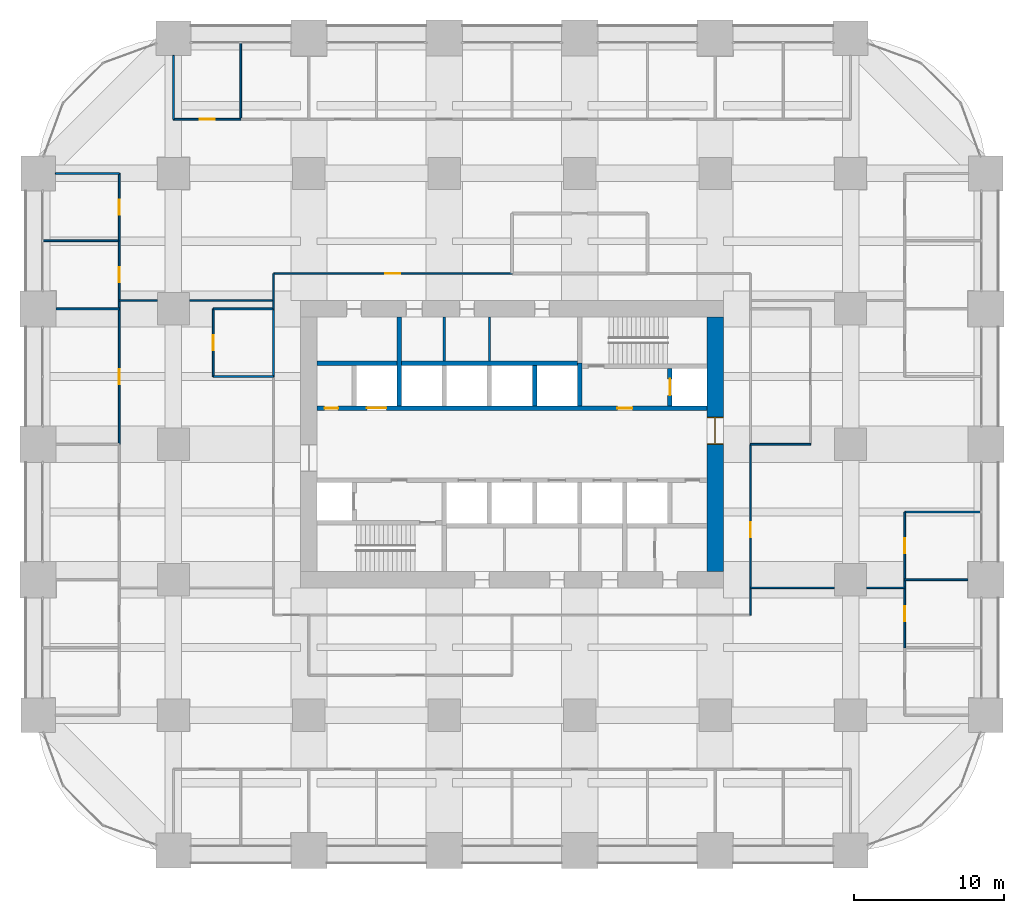
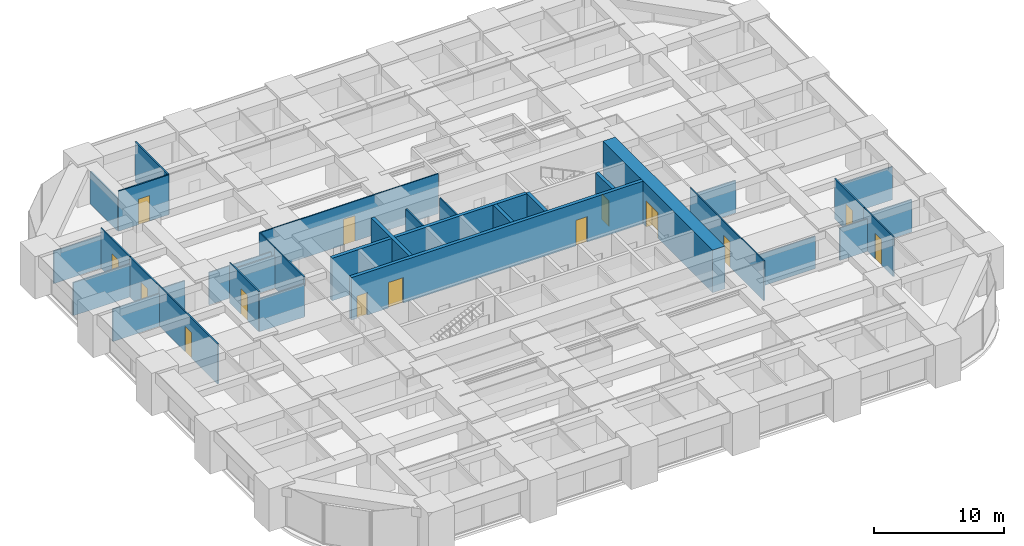
# One storey, part 41 of 45: 34 walls, 14 doors, 14 openings.
"""IFC4 building model written with IfcOpenShell, lengths in metres."""

from ifc_helpers import new_model, si_unit, direction, frame, frame_2d, origin, place, context, subcontext, project, spatial, rectangle, extrude, material, layer, layer_set, type_object, element, fill, save


model = new_model("IFC4")

# Units and contexts
model_context = context("Model", 3, precision=1e-05, world=origin(), true_north=direction((0.0, 1.0)))
body_context = subcontext(model_context, "Body", "Model", "MODEL_VIEW")
ifc_project = project(units=[si_unit("LENGTHUNIT", "METRE"), si_unit("AREAUNIT", "SQUARE_METRE"), si_unit("VOLUMEUNIT", "CUBIC_METRE"), si_unit("PLANEANGLEUNIT", "RADIAN"), si_unit("MASSUNIT", "GRAM", prefix="KILO")], contexts=[model_context])

# Site, building, storey
site_placement = place(None, origin())
site = spatial("IfcSite", under=ifc_project, at=site_placement, CompositionType="ELEMENT")
building_placement = place(site_placement, origin())
building = spatial("IfcBuilding", under=site, at=building_placement, Name="Zorevar Civic Tower", CompositionType="ELEMENT")
storey_placement = place(building_placement, frame((0.0, 0.0, 71.800048828125)))
storey = spatial("IfcBuildingStorey", under=building, at=storey_placement, Name="L17", CompositionType="ELEMENT", Elevation=71.800048828125)

# Wall, opening, door
ifc_material_1 = material(Name="Concrete C50/60", Category="concrete")
ifc_layer_1 = layer(ifc_material_1, 1.10009765625)
ifc_layer_set_1 = layer_set([ifc_layer_1], Name="Core wall 1100")
wall_type_1 = type_object("IfcWallType", Name="Core wall 1100", PredefinedType="SHEAR", material=ifc_layer_set_1)
wall_1_placement = place(storey_placement, frame((45.0, 18.550048828125, 0.0), z_axis=(0.0, 0.0, 1.0), x_axis=(0.0, 1.0, 0.0)))
wall_1 = element("IfcWall", 1, at=wall_1_placement, inside=storey, type_object=wall_type_1, Name="Core wall E L17", PredefinedType="SHEAR", context=body_context, shape_type="SweptSolid", body=[
    extrude(rectangle(XDim=16.89990234375, YDim=1.10009765625, at=frame_2d((8.449951171875, 0.0))), origin(), (0.0, 0.0, 1.0), 4.0),
])
opening_1_placement = place(wall_1_placement, frame((8.449951171875, 0.0, 0.0)))
opening_1 = element("IfcOpeningElement", 2, at=opening_1_placement, cuts=wall_1, Name="Opening L17.02", PredefinedType="OPENING", context=body_context, shape_type="SweptSolid", body=[
    extrude(rectangle(XDim=1.800048828125, YDim=2.39990234375, at=frame_2d((0.89990234375, 1.199951171875))), frame((0.0, 0.56005859375, 0.0), z_axis=(0.0, -1.0, 0.0), x_axis=(1.0, 0.0, 0.0)), (0.0, 0.0, 1.0), 1.1201171875),
])
ifc_material_2 = material(Name="Steel door set", Category="steel")
door_type_1 = type_object("IfcDoorType", Name="Fire door FD2 1800x2400", OperationType="DOUBLE_DOOR_DOUBLE_SWING", PredefinedType="DOOR", material=ifc_material_2)
door_1_placement = place(opening_1_placement, origin())
door_1 = element("IfcDoor", 3, at=door_1_placement, inside=storey, type_object=door_type_1, Name="Door L17 01", OperationType="DOUBLE_DOOR_DOUBLE_SWING", OverallHeight=2.39990234375, OverallWidth=1.800048828125, PredefinedType="DOOR", context=body_context, shape_type="SweptSolid", body=[
    extrude(rectangle(XDim=1.800048828125, YDim=2.39990234375, at=frame_2d((0.89990234375, 1.199951171875))), frame((0.0, 0.030029296875, 0.0), z_axis=(0.0, -1.0, 0.0), x_axis=(1.0, 0.0, 0.0)), (0.0, 0.0, 1.0), 0.06005859375),
    extrude(rectangle(XDim=0.04, YDim=2.39990234375, at=frame_2d((0.02001953125, 1.199951171875))), frame((0.0, 0.5498046875, 0.0), z_axis=(0.0, -1.0, 0.0), x_axis=(1.0, 0.0, 0.0)), (0.0, 0.0, 1.0), 1.099609375),
    extrude(rectangle(XDim=0.04, YDim=2.39990234375, at=frame_2d((1.780029296875, 1.199951171875))), frame((0.0, 0.5498046875, 0.0), z_axis=(0.0, -1.0, 0.0), x_axis=(1.0, 0.0, 0.0)), (0.0, 0.0, 1.0), 1.099609375),
    extrude(rectangle(XDim=1.800048828125, YDim=0.04, at=frame_2d((0.89990234375, 2.3798828125))), frame((0.0, 0.5498046875, 0.0), z_axis=(0.0, -1.0, 0.0), x_axis=(1.0, 0.0, 0.0)), (0.0, 0.0, 1.0), 1.099609375),
])
fill(opening_1, door_1)

# Walls
ifc_material_3 = material(Name="Laminated glass in black aluminium frame", Category="aluminium")
ifc_layer_2 = layer(ifc_material_3, 0.10009765625)
ifc_layer_set_2 = layer_set([ifc_layer_2], Name="Glazed partition 100")
wall_type_2 = type_object("IfcWallType", Name="Glazed partition 100", PredefinedType="PARTITIONING", material=ifc_layer_set_2)
wall_2_placement = place(storey_placement, frame((47.35009765625, 17.449951171875, 0.0), z_axis=(0.0, 0.0, 1.0), x_axis=(1.0, 0.0, 0.0)))
element("IfcWall", 4, at=wall_2_placement, inside=storey, type_object=wall_type_2, Name="Glazed partition 100 L17", PredefinedType="PARTITIONING", context=body_context, shape_type="SweptSolid", body=[
    extrude(rectangle(XDim=5.574951171875, YDim=0.10009765625, at=frame_2d((2.78759765625, 0.0))), origin(), (0.0, 0.0, 1.0), 3.050048828125),
])
for number, where, z_axis, x_axis, name in (
    (5, (55.074951171875, 17.449951171875, 0.0), (0.0, 0.0, 1.0), (1.0, 0.0, 0.0), "Glazed partition 100 L17"),
    (6, (5.389892578125, 36.550048828125, 0.0), (0.0, 0.0, 1.0), (1.0, 0.0, 0.0), "Glazed partition 100 L17"),
):
    element("IfcWall", number, at=place(storey_placement, frame(where, z_axis=z_axis, x_axis=x_axis)), inside=storey, type_object=wall_type_2, Name=name, PredefinedType="PARTITIONING", context=body_context, shape_type="SweptSolid", body=[
        extrude(rectangle(XDim=2.53515625, YDim=0.10009765625, at=frame_2d((1.267578125, 0.0))), origin(), (0.0, 0.0, 1.0), 3.050048828125),
    ])
wall_3_placement = place(storey_placement, frame((10.074951171875, 36.550048828125, 0.0), z_axis=(0.0, 0.0, 1.0), x_axis=(1.0, 0.0, 0.0)))
element("IfcWall", 7, at=wall_3_placement, inside=storey, type_object=wall_type_2, Name="Glazed partition 100 L17", PredefinedType="PARTITIONING", context=body_context, shape_type="SweptSolid", body=[
    extrude(rectangle(XDim=5.574951171875, YDim=0.10009765625, at=frame_2d((2.78759765625, 0.0))), origin(), (0.0, 0.0, 1.0), 3.050048828125),
])

# Wall, opening, door
wall_4_placement = place(storey_placement, frame((15.64990234375, 38.35009765625, 0.0), z_axis=(0.0, 0.0, 1.0), x_axis=(1.0, 0.0, 0.0)))
wall_4 = element("IfcWall", 8, at=wall_4_placement, inside=storey, type_object=wall_type_2, Name="Glazed partition 100 L17", PredefinedType="PARTITIONING", context=body_context, shape_type="SweptSolid", body=[
    extrude(rectangle(XDim=15.85009765625, YDim=0.10009765625, at=frame_2d((7.925048828125, 0.0))), origin(), (0.0, 0.0, 1.0), 3.75),
])
opening_2_placement = place(wall_4_placement, frame((7.425048828125, 0.0, 0.0)))
opening_2 = element("IfcOpeningElement", 9, at=opening_2_placement, cuts=wall_4, Name="Opening L17.27", PredefinedType="OPENING", context=body_context, shape_type="SweptSolid", body=[
    extrude(rectangle(XDim=1.0, YDim=2.39990234375, at=frame_2d((0.5, 1.199951171875))), frame((0.0, 0.06005859375, 0.0), z_axis=(0.0, -1.0, 0.0), x_axis=(1.0, 0.0, 0.0)), (0.0, 0.0, 1.0), 0.1201171875),
])
ifc_material_4 = material(Name="Timber door set", Category="wood")
door_type_2 = type_object("IfcDoorType", Name="Glazed door GD1 1000x2400", OperationType="SINGLE_SWING_LEFT", PredefinedType="DOOR", material=ifc_material_4)
door_2_placement = place(opening_2_placement, origin())
door_2 = element("IfcDoor", 10, at=door_2_placement, inside=storey, type_object=door_type_2, Name="Door L17 D1", OperationType="SINGLE_SWING_LEFT", OverallHeight=2.39990234375, OverallWidth=1.0, PredefinedType="DOOR", context=body_context, shape_type="SweptSolid", body=[
    extrude(rectangle(XDim=1.0, YDim=2.39990234375, at=frame_2d((0.5, 1.199951171875))), frame((0.0, 0.02001953125, 0.0), z_axis=(0.0, -1.0, 0.0), x_axis=(1.0, 0.0, 0.0)), (0.0, 0.0, 1.0), 0.0400390625),
])
fill(opening_2, door_2)

# Wall
wall_5_placement = place(storey_placement, frame((15.64990234375, 36.0, 0.0), z_axis=(0.0, 0.0, 1.0), x_axis=(0.0, 1.0, 0.0)))
element("IfcWall", 11, at=wall_5_placement, inside=storey, type_object=wall_type_2, Name="Glazed partition 100 L17", PredefinedType="PARTITIONING", context=body_context, shape_type="SweptSolid", body=[
    extrude(rectangle(XDim=2.35009765625, YDim=0.10009765625, at=frame_2d((1.175048828125, 0.0))), origin(), (0.0, 0.0, 1.0), 3.75),
])

# Wall, opening, door
wall_6_placement = place(storey_placement, frame((47.35009765625, 15.64990234375, 0.0), z_axis=(0.0, 0.0, 1.0), x_axis=(0.0, 1.0, 0.0)))
wall_6 = element("IfcWall", 12, at=wall_6_placement, inside=storey, type_object=wall_type_2, Name="Glazed partition 100 L17", PredefinedType="PARTITIONING", context=body_context, shape_type="SweptSolid", body=[
    extrude(rectangle(XDim=11.35009765625, YDim=0.10009765625, at=frame_2d((5.675048828125, 0.0))), origin(), (0.0, 0.0, 1.0), 3.75),
])
opening_3_placement = place(wall_6_placement, frame((5.175048828125, 0.0, 0.0)))
opening_3 = element("IfcOpeningElement", 13, at=opening_3_placement, cuts=wall_6, Name="Opening L17.45", PredefinedType="OPENING", context=body_context, shape_type="SweptSolid", body=[
    extrude(rectangle(XDim=1.0, YDim=2.39990234375, at=frame_2d((0.5, 1.199951171875))), frame((0.0, 0.06005859375, 0.0), z_axis=(0.0, -1.0, 0.0), x_axis=(1.0, 0.0, 0.0)), (0.0, 0.0, 1.0), 0.1201171875),
])
door_3_placement = place(opening_3_placement, origin())
door_3 = element("IfcDoor", 14, at=door_3_placement, inside=storey, type_object=door_type_2, Name="Door L17 D1", OperationType="SINGLE_SWING_LEFT", OverallHeight=2.39990234375, OverallWidth=1.0, PredefinedType="DOOR", context=body_context, shape_type="SweptSolid", body=[
    extrude(rectangle(XDim=1.0, YDim=2.39990234375, at=frame_2d((0.5, 1.199951171875))), frame((0.0, 0.02001953125, 0.0), z_axis=(0.0, -1.0, 0.0), x_axis=(1.0, 0.0, 0.0)), (0.0, 0.0, 1.0), 0.0400390625),
])
fill(opening_3, door_3)

ifc_material_5 = material(Name="Concrete C40/50", Category="concrete")
ifc_layer_3 = layer(ifc_material_5, 0.300048828125)
ifc_layer_set_3 = layer_set([ifc_layer_3], Name="Inner core wall 300")
wall_type_3 = type_object("IfcWallType", Name="Inner core wall 300", PredefinedType="SHEAR", material=ifc_layer_set_3)
wall_7_placement = place(storey_placement, frame((42.0, 29.550048828125, 0.0), z_axis=(0.0, 0.0, 1.0), x_axis=(0.0, 1.0, 0.0)))
wall_7 = element("IfcWall", 15, at=wall_7_placement, inside=storey, type_object=wall_type_3, Name="Inner core wall N02 L17", PredefinedType="SHEAR", context=body_context, shape_type="SweptSolid", body=[
    extrude(rectangle(XDim=2.5, YDim=0.300048828125, at=frame_2d((1.25, 0.0))), origin(), (0.0, 0.0, 1.0), 4.0),
])
opening_4_placement = place(wall_7_placement, frame((0.699951171875, 0.0, 0.0)))
opening_4 = element("IfcOpeningElement", 16, at=opening_4_placement, cuts=wall_7, Name="Opening L17.FL2", PredefinedType="OPENING", context=body_context, shape_type="SweptSolid", body=[
    extrude(rectangle(XDim=1.10009765625, YDim=2.39990234375, at=frame_2d((0.550048828125, 1.199951171875))), frame((0.0, 0.159912109375, 0.0), z_axis=(0.0, -1.0, 0.0), x_axis=(1.0, 0.0, 0.0)), (0.0, 0.0, 1.0), 0.320068359375),
])
ifc_material_6 = material(Name="Steel door set", Category="steel")
door_type_3 = type_object("IfcDoorType", Name="Firefighting lift landing door LD3 1100x2400", OperationType="DOUBLE_DOOR_SLIDING", PredefinedType="DOOR", material=ifc_material_6)
door_4_placement = place(opening_4_placement, origin())
door_4 = element("IfcDoor", 17, at=door_4_placement, inside=storey, type_object=door_type_3, Name="Landing door FL2 L17", OperationType="DOUBLE_DOOR_SLIDING", OverallHeight=2.39990234375, OverallWidth=1.10009765625, PredefinedType="DOOR", context=body_context, shape_type="SweptSolid", body=[
    extrude(rectangle(XDim=1.10009765625, YDim=2.39990234375, at=frame_2d((0.550048828125, 1.199951171875))), frame((0.0, 0.030029296875, 0.0), z_axis=(0.0, -1.0, 0.0), x_axis=(1.0, 0.0, 0.0)), (0.0, 0.0, 1.0), 0.06005859375),
])
fill(opening_4, door_4)

# Wall, openings, doors
wall_8_placement = place(storey_placement, frame((18.550048828125, 29.39990234375, 0.0), z_axis=(0.0, 0.0, 1.0), x_axis=(1.0, 0.0, 0.0)))
wall_8 = element("IfcWall", 18, at=wall_8_placement, inside=storey, type_object=wall_type_3, Name="Inner core wall N03 L17", PredefinedType="SHEAR", context=body_context, shape_type="SweptSolid", body=[
    extrude(rectangle(XDim=25.89990234375, YDim=0.300048828125, at=frame_2d((12.949951171875, 0.0))), origin(), (0.0, 0.0, 1.0), 4.0),
])
opening_5_placement = place(wall_8_placement, frame((19.949951171875, 0.0, 0.0)))
opening_5 = element("IfcOpeningElement", 19, at=opening_5_placement, cuts=wall_8, Name="Opening L17.14", PredefinedType="OPENING", context=body_context, shape_type="SweptSolid", body=[
    extrude(rectangle(XDim=1.0, YDim=2.39990234375, at=frame_2d((0.5, 1.199951171875))), frame((0.0, 0.159912109375, 0.0), z_axis=(0.0, -1.0, 0.0), x_axis=(1.0, 0.0, 0.0)), (0.0, 0.0, 1.0), 0.320068359375),
])
opening_6_placement = place(wall_8_placement, frame((0.5, 0.0, 0.0)))
opening_6 = element("IfcOpeningElement", 20, at=opening_6_placement, cuts=wall_8, Name="Opening L17.16", PredefinedType="OPENING", context=body_context, shape_type="SweptSolid", body=[
    extrude(rectangle(XDim=0.89990234375, YDim=2.10009765625, at=frame_2d((0.449951171875, 1.050048828125))), frame((0.0, 0.159912109375, 0.0), z_axis=(0.0, -1.0, 0.0), x_axis=(1.0, 0.0, 0.0)), (0.0, 0.0, 1.0), 0.320068359375),
])
opening_7_placement = place(wall_8_placement, frame((3.300048828125, 0.0, 0.0)))
opening_7 = element("IfcOpeningElement", 21, at=opening_7_placement, cuts=wall_8, Name="Opening L17.SL2", PredefinedType="OPENING", context=body_context, shape_type="SweptSolid", body=[
    extrude(rectangle(XDim=1.300048828125, YDim=2.39990234375, at=frame_2d((0.64990234375, 1.199951171875))), frame((0.0, 0.159912109375, 0.0), z_axis=(0.0, -1.0, 0.0), x_axis=(1.0, 0.0, 0.0)), (0.0, 0.0, 1.0), 0.320068359375),
])
ifc_material_7 = material(Name="Steel door set", Category="steel")
door_type_4 = type_object("IfcDoorType", Name="Fire door FD1 1000x2400", OperationType="SINGLE_SWING_LEFT", PredefinedType="DOOR", material=ifc_material_7)
door_5_placement = place(opening_5_placement, origin())
door_5 = element("IfcDoor", 22, at=door_5_placement, inside=storey, type_object=door_type_4, Name="Door L17 13", OperationType="SINGLE_SWING_RIGHT", OverallHeight=2.39990234375, OverallWidth=1.0, PredefinedType="DOOR", context=body_context, shape_type="SweptSolid", body=[
    extrude(rectangle(XDim=1.0, YDim=2.39990234375, at=frame_2d((0.5, 1.199951171875))), frame((0.0, 0.030029296875, 0.0), z_axis=(0.0, -1.0, 0.0), x_axis=(1.0, 0.0, 0.0)), (0.0, 0.0, 1.0), 0.06005859375),
])
fill(opening_5, door_5)
ifc_material_8 = material(Name="Steel door set", Category="steel")
door_type_5 = type_object("IfcDoorType", Name="Landing door LD2 1300x2400", OperationType="DOUBLE_DOOR_SLIDING", PredefinedType="DOOR", material=ifc_material_8)
door_6_placement = place(opening_7_placement, origin())
door_6 = element("IfcDoor", 23, at=door_6_placement, inside=storey, type_object=door_type_5, Name="Landing door SL2 L17", OperationType="DOUBLE_DOOR_SLIDING", OverallHeight=2.39990234375, OverallWidth=1.300048828125, PredefinedType="DOOR", context=body_context, shape_type="SweptSolid", body=[
    extrude(rectangle(XDim=1.300048828125, YDim=2.39990234375, at=frame_2d((0.64990234375, 1.199951171875))), frame((0.0, 0.02001953125, 0.0), z_axis=(0.0, -1.0, 0.0), x_axis=(1.0, 0.0, 0.0)), (0.0, 0.0, 1.0), 0.0400390625),
])
fill(opening_7, door_6)
ifc_material_9 = material(Name="Steel door set", Category="steel")
door_type_6 = type_object("IfcDoorType", Name="Riser door RD1 900x2100", OperationType="SINGLE_SWING_LEFT", PredefinedType="DOOR", material=ifc_material_9)
door_7_placement = place(opening_6_placement, origin())
door_7 = element("IfcDoor", 24, at=door_7_placement, inside=storey, type_object=door_type_6, Name="Door L17 15", OperationType="SINGLE_SWING_RIGHT", OverallHeight=2.10009765625, OverallWidth=0.89990234375, PredefinedType="DOOR", context=body_context, shape_type="SweptSolid", body=[
    extrude(rectangle(XDim=0.89990234375, YDim=2.10009765625, at=frame_2d((0.449951171875, 1.050048828125))), frame((0.0, 0.030029296875, 0.0), z_axis=(0.0, -1.0, 0.0), x_axis=(1.0, 0.0, 0.0)), (0.0, 0.0, 1.0), 0.06005859375),
])
fill(opening_6, door_7)

# Walls
wall_9_placement = place(storey_placement, frame((18.550048828125, 32.39990234375, 0.0), z_axis=(0.0, 0.0, 1.0), x_axis=(1.0, 0.0, 0.0)))
element("IfcWall", 25, at=wall_9_placement, inside=storey, type_object=wall_type_3, Name="Inner core wall N04 L17", PredefinedType="SHEAR", context=body_context, shape_type="SweptSolid", body=[
    extrude(rectangle(XDim=17.300048828125, YDim=0.300048828125, at=frame_2d((8.64990234375, 0.0))), origin(), (0.0, 0.0, 1.0), 4.0),
])
wall_10_placement = place(storey_placement, frame((33.0, 29.550048828125, 0.0), z_axis=(0.0, 0.0, 1.0), x_axis=(0.0, 1.0, 0.0)))
element("IfcWall", 26, at=wall_10_placement, inside=storey, type_object=wall_type_3, Name="Inner core wall N05 L17", PredefinedType="SHEAR", context=body_context, shape_type="SweptSolid", body=[
    extrude(rectangle(XDim=2.699951171875, YDim=0.300048828125, at=frame_2d((1.35009765625, 0.0))), origin(), (0.0, 0.0, 1.0), 4.0),
])
wall_11_placement = place(storey_placement, frame((24.0, 29.550048828125, 0.0), z_axis=(0.0, 0.0, 1.0), x_axis=(0.0, 1.0, 0.0)))
element("IfcWall", 27, at=wall_11_placement, inside=storey, type_object=wall_type_3, Name="Inner core wall N08 L17", PredefinedType="SHEAR", context=body_context, shape_type="SweptSolid", body=[
    extrude(rectangle(XDim=5.89990234375, YDim=0.300048828125, at=frame_2d((2.949951171875, 0.0))), origin(), (0.0, 0.0, 1.0), 4.0),
])
wall_12_placement = place(storey_placement, frame((36.0, 29.550048828125, 0.0), z_axis=(0.0, 0.0, 1.0), x_axis=(0.0, 1.0, 0.0)))
element("IfcWall", 28, at=wall_12_placement, inside=storey, type_object=wall_type_3, Name="Inner core wall N10 L17", PredefinedType="SHEAR", context=body_context, shape_type="SweptSolid", body=[
    extrude(rectangle(XDim=2.849853515625, YDim=0.300048828125, at=frame_2d((1.4248046875, 0.0))), origin(), (0.0, 0.0, 1.0), 4.0),
])
ifc_material_10 = material(Name="Gypsum board on steel studs", Category="steel")
ifc_layer_4 = layer(ifc_material_10, 0.1201171875)
ifc_layer_set_4 = layer_set([ifc_layer_4], Name="Partition 120")
wall_type_4 = type_object("IfcWallType", Name="Partition 120", PredefinedType="PARTITIONING", material=ifc_layer_set_4)
wall_13_placement = place(storey_placement, frame((57.60009765625, 18.0, 0.0), z_axis=(0.0, 0.0, 1.0), x_axis=(1.0, 0.0, 0.0)))
element("IfcWall", 29, at=wall_13_placement, inside=storey, type_object=wall_type_4, Name="Partition 120 L17", PredefinedType="PARTITIONING", context=body_context, shape_type="SweptSolid", body=[
    extrude(rectangle(XDim=4.199951171875, YDim=0.1201171875, at=frame_2d((2.10009765625, 0.0))), origin(), (0.0, 0.0, 1.0), 3.050048828125),
])
wall_14_placement = place(storey_placement, frame((57.60009765625, 22.5, 0.0), z_axis=(0.0, 0.0, 1.0), x_axis=(1.0, 0.0, 0.0)))
element("IfcWall", 30, at=wall_14_placement, inside=storey, type_object=wall_type_4, Name="Partition 120 L17", PredefinedType="PARTITIONING", context=body_context, shape_type="SweptSolid", body=[
    extrude(rectangle(XDim=5.08984375, YDim=0.1201171875, at=frame_2d((2.544921875, 0.0))), origin(), (0.0, 0.0, 1.0), 3.099853515625),
])
wall_15_placement = place(storey_placement, frame((47.35009765625, 27.0, 0.0), z_axis=(0.0, 0.0, 1.0), x_axis=(1.0, 0.0, 0.0)))
element("IfcWall", 31, at=wall_15_placement, inside=storey, type_object=wall_type_4, Name="Partition 120 L17", PredefinedType="PARTITIONING", context=body_context, shape_type="SweptSolid", body=[
    extrude(rectangle(XDim=4.0, YDim=0.1201171875, at=frame_2d((2.0, 0.0))), origin(), (0.0, 0.0, 1.0), 3.050048828125),
])
wall_16_placement = place(storey_placement, frame((11.64990234375, 31.5, 0.0), z_axis=(0.0, 0.0, 1.0), x_axis=(1.0, 0.0, 0.0)))
element("IfcWall", 32, at=wall_16_placement, inside=storey, type_object=wall_type_4, Name="Partition 120 L17", PredefinedType="PARTITIONING", context=body_context, shape_type="SweptSolid", body=[
    extrude(rectangle(XDim=4.0, YDim=0.1201171875, at=frame_2d((2.0, 0.0))), origin(), (0.0, 0.0, 1.0), 3.099853515625),
])
wall_17_placement = place(storey_placement, frame((1.199951171875, 36.0, 0.0), z_axis=(0.0, 0.0, 1.0), x_axis=(1.0, 0.0, 0.0)))
element("IfcWall", 33, at=wall_17_placement, inside=storey, type_object=wall_type_4, Name="Partition 120 L17", PredefinedType="PARTITIONING", context=body_context, shape_type="SweptSolid", body=[
    extrude(rectangle(XDim=4.199951171875, YDim=0.1201171875, at=frame_2d((2.10009765625, 0.0))), origin(), (0.0, 0.0, 1.0), 3.050048828125),
])
wall_18_placement = place(storey_placement, frame((11.64990234375, 36.0, 0.0), z_axis=(0.0, 0.0, 1.0), x_axis=(1.0, 0.0, 0.0)))
element("IfcWall", 34, at=wall_18_placement, inside=storey, type_object=wall_type_4, Name="Partition 120 L17", PredefinedType="PARTITIONING", context=body_context, shape_type="SweptSolid", body=[
    extrude(rectangle(XDim=4.0, YDim=0.1201171875, at=frame_2d((2.0, 0.0))), origin(), (0.0, 0.0, 1.0), 3.050048828125),
])
wall_19_placement = place(storey_placement, frame((0.31005859375, 40.52490234375, 0.0), z_axis=(0.0, 0.0, 1.0), x_axis=(1.0, 0.0, 0.0)))
element("IfcWall", 35, at=wall_19_placement, inside=storey, type_object=wall_type_4, Name="Partition 120 L17", PredefinedType="PARTITIONING", context=body_context, shape_type="SweptSolid", body=[
    extrude(rectangle(XDim=5.08984375, YDim=0.1201171875, at=frame_2d((2.544921875, 0.0))), origin(), (0.0, 0.0, 1.0), 3.099853515625),
])
wall_20_placement = place(storey_placement, frame((1.14990234375, 45.0, 0.0), z_axis=(0.0, 0.0, 1.0), x_axis=(1.0, 0.0, 0.0)))
element("IfcWall", 36, at=wall_20_placement, inside=storey, type_object=wall_type_4, Name="Partition 120 L17", PredefinedType="PARTITIONING", context=body_context, shape_type="SweptSolid", body=[
    extrude(rectangle(XDim=4.25, YDim=0.1201171875, at=frame_2d((2.125, 0.0))), origin(), (0.0, 0.0, 1.0), 3.050048828125),
])

# Wall, opening, door
wall_21_placement = place(storey_placement, frame((9.0, 48.60009765625, 0.0), z_axis=(0.0, 0.0, 1.0), x_axis=(1.0, 0.0, 0.0)))
wall_21 = element("IfcWall", 37, at=wall_21_placement, inside=storey, type_object=wall_type_4, Name="Partition 120 L17", PredefinedType="PARTITIONING", context=body_context, shape_type="SweptSolid", body=[
    extrude(rectangle(XDim=4.47509765625, YDim=0.1201171875, at=frame_2d((2.237548828125, 0.0))), origin(), (0.0, 0.0, 1.0), 3.75),
])
opening_8_placement = place(wall_21_placement, frame((1.738037109375, 0.0, 0.0)))
opening_8 = element("IfcOpeningElement", 38, at=opening_8_placement, cuts=wall_21, Name="Opening L17.29", PredefinedType="OPENING", context=body_context, shape_type="SweptSolid", body=[
    extrude(rectangle(XDim=1.0, YDim=2.39990234375, at=frame_2d((0.5, 1.199951171875))), frame((0.0, 0.070068359375, 0.0), z_axis=(0.0, -1.0, 0.0), x_axis=(1.0, 0.0, 0.0)), (0.0, 0.0, 1.0), 0.14013671875),
])
ifc_material_11 = material(Name="Timber door set", Category="wood")
door_type_7 = type_object("IfcDoorType", Name="Door D1 1000x2400", OperationType="SINGLE_SWING_LEFT", PredefinedType="DOOR", material=ifc_material_11)
door_8_placement = place(opening_8_placement, origin())
door_8 = element("IfcDoor", 39, at=door_8_placement, inside=storey, type_object=door_type_7, Name="Door L17 D1", OperationType="SINGLE_SWING_LEFT", OverallHeight=2.39990234375, OverallWidth=1.0, PredefinedType="DOOR", context=body_context, shape_type="SweptSolid", body=[
    extrude(rectangle(XDim=1.0, YDim=2.39990234375, at=frame_2d((0.5, 1.199951171875))), frame((0.0, 0.02490234375, 0.0), z_axis=(0.0, -1.0, 0.0), x_axis=(1.0, 0.0, 0.0)), (0.0, 0.0, 1.0), 0.050048828125),
])
fill(opening_8, door_8)

wall_22_placement = place(storey_placement, frame((5.39990234375, 27.0, 0.0), z_axis=(0.0, 0.0, 1.0), x_axis=(0.0, 1.0, 0.0)))
wall_22 = element("IfcWall", 40, at=wall_22_placement, inside=storey, type_object=wall_type_4, Name="Partition 120 L17", PredefinedType="PARTITIONING", context=body_context, shape_type="SweptSolid", body=[
    extrude(rectangle(XDim=9.0, YDim=0.1201171875, at=frame_2d((4.5, 0.0))), origin(), (0.0, 0.0, 1.0), 3.75),
])
opening_9_placement = place(wall_22_placement, frame((4.0, 0.0, 0.0)))
opening_9 = element("IfcOpeningElement", 41, at=opening_9_placement, cuts=wall_22, Name="Opening L17.40", PredefinedType="OPENING", context=body_context, shape_type="SweptSolid", body=[
    extrude(rectangle(XDim=1.0, YDim=2.39990234375, at=frame_2d((0.5, 1.199951171875))), frame((0.0, 0.070068359375, 0.0), z_axis=(0.0, -1.0, 0.0), x_axis=(1.0, 0.0, 0.0)), (0.0, 0.0, 1.0), 0.14013671875),
])
door_9_placement = place(opening_9_placement, origin())
door_9 = element("IfcDoor", 42, at=door_9_placement, inside=storey, type_object=door_type_7, Name="Door L17 D1", OperationType="SINGLE_SWING_RIGHT", OverallHeight=2.39990234375, OverallWidth=1.0, PredefinedType="DOOR", context=body_context, shape_type="SweptSolid", body=[
    extrude(rectangle(XDim=1.0, YDim=2.39990234375, at=frame_2d((0.5, 1.199951171875))), frame((0.0, 0.02490234375, 0.0), z_axis=(0.0, -1.0, 0.0), x_axis=(1.0, 0.0, 0.0)), (0.0, 0.0, 1.0), 0.050048828125),
])
fill(opening_9, door_9)

wall_23_placement = place(storey_placement, frame((5.39990234375, 36.0, 0.0), z_axis=(0.0, 0.0, 1.0), x_axis=(0.0, 1.0, 0.0)))
wall_23 = element("IfcWall", 43, at=wall_23_placement, inside=storey, type_object=wall_type_4, Name="Partition 120 L17", PredefinedType="PARTITIONING", context=body_context, shape_type="SweptSolid", body=[
    extrude(rectangle(XDim=4.52490234375, YDim=0.1201171875, at=frame_2d((2.262451171875, 0.0))), origin(), (0.0, 0.0, 1.0), 3.75),
])
opening_10_placement = place(wall_23_placement, frame((1.762939453125, 0.0, 0.0)))
opening_10 = element("IfcOpeningElement", 44, at=opening_10_placement, cuts=wall_23, Name="Opening L17.41", PredefinedType="OPENING", context=body_context, shape_type="SweptSolid", body=[
    extrude(rectangle(XDim=1.0, YDim=2.39990234375, at=frame_2d((0.5, 1.199951171875))), frame((0.0, 0.070068359375, 0.0), z_axis=(0.0, -1.0, 0.0), x_axis=(1.0, 0.0, 0.0)), (0.0, 0.0, 1.0), 0.14013671875),
])
door_10_placement = place(opening_10_placement, origin())
door_10 = element("IfcDoor", 45, at=door_10_placement, inside=storey, type_object=door_type_7, Name="Door L17 D1", OperationType="SINGLE_SWING_LEFT", OverallHeight=2.39990234375, OverallWidth=1.0, PredefinedType="DOOR", context=body_context, shape_type="SweptSolid", body=[
    extrude(rectangle(XDim=1.0, YDim=2.39990234375, at=frame_2d((0.5, 1.199951171875))), frame((0.0, 0.02490234375, 0.0), z_axis=(0.0, -1.0, 0.0), x_axis=(1.0, 0.0, 0.0)), (0.0, 0.0, 1.0), 0.050048828125),
])
fill(opening_10, door_10)

wall_24_placement = place(storey_placement, frame((5.39990234375, 40.52490234375, 0.0), z_axis=(0.0, 0.0, 1.0), x_axis=(0.0, 1.0, 0.0)))
wall_24 = element("IfcWall", 46, at=wall_24_placement, inside=storey, type_object=wall_type_4, Name="Partition 120 L17", PredefinedType="PARTITIONING", context=body_context, shape_type="SweptSolid", body=[
    extrude(rectangle(XDim=4.47509765625, YDim=0.1201171875, at=frame_2d((2.237548828125, 0.0))), origin(), (0.0, 0.0, 1.0), 3.75),
])
opening_11_placement = place(wall_24_placement, frame((1.738037109375, 0.0, 0.0)))
opening_11 = element("IfcOpeningElement", 47, at=opening_11_placement, cuts=wall_24, Name="Opening L17.42", PredefinedType="OPENING", context=body_context, shape_type="SweptSolid", body=[
    extrude(rectangle(XDim=1.0, YDim=2.39990234375, at=frame_2d((0.5, 1.199951171875))), frame((0.0, 0.070068359375, 0.0), z_axis=(0.0, -1.0, 0.0), x_axis=(1.0, 0.0, 0.0)), (0.0, 0.0, 1.0), 0.14013671875),
])
door_11_placement = place(opening_11_placement, origin())
door_11 = element("IfcDoor", 48, at=door_11_placement, inside=storey, type_object=door_type_7, Name="Door L17 D1", OperationType="SINGLE_SWING_LEFT", OverallHeight=2.39990234375, OverallWidth=1.0, PredefinedType="DOOR", context=body_context, shape_type="SweptSolid", body=[
    extrude(rectangle(XDim=1.0, YDim=2.39990234375, at=frame_2d((0.5, 1.199951171875))), frame((0.0, 0.02490234375, 0.0), z_axis=(0.0, -1.0, 0.0), x_axis=(1.0, 0.0, 0.0)), (0.0, 0.0, 1.0), 0.050048828125),
])
fill(opening_11, door_11)

# Wall
wall_25_placement = place(storey_placement, frame((9.0, 48.60009765625, 0.0), z_axis=(0.0, 0.0, 1.0), x_axis=(0.0, 1.0, 0.0)))
element("IfcWall", 49, at=wall_25_placement, inside=storey, type_object=wall_type_4, Name="Partition 120 L17", PredefinedType="PARTITIONING", context=body_context, shape_type="SweptSolid", body=[
    extrude(rectangle(XDim=4.25, YDim=0.1201171875, at=frame_2d((2.125, 0.0))), origin(), (0.0, 0.0, 1.0), 3.050048828125),
])

# Wall, opening, door
wall_26_placement = place(storey_placement, frame((11.64990234375, 31.5, 0.0), z_axis=(0.0, 0.0, 1.0), x_axis=(0.0, 1.0, 0.0)))
wall_26 = element("IfcWall", 50, at=wall_26_placement, inside=storey, type_object=wall_type_4, Name="Partition 120 L17", PredefinedType="PARTITIONING", context=body_context, shape_type="SweptSolid", body=[
    extrude(rectangle(XDim=4.5, YDim=0.1201171875, at=frame_2d((2.25, 0.0))), origin(), (0.0, 0.0, 1.0), 3.75),
])
opening_12_placement = place(wall_26_placement, frame((1.75, 0.0, 0.0)))
opening_12 = element("IfcOpeningElement", 51, at=opening_12_placement, cuts=wall_26, Name="Opening L17.43", PredefinedType="OPENING", context=body_context, shape_type="SweptSolid", body=[
    extrude(rectangle(XDim=1.0, YDim=2.39990234375, at=frame_2d((0.5, 1.199951171875))), frame((0.0, 0.070068359375, 0.0), z_axis=(0.0, -1.0, 0.0), x_axis=(1.0, 0.0, 0.0)), (0.0, 0.0, 1.0), 0.14013671875),
])
door_12_placement = place(opening_12_placement, origin())
door_12 = element("IfcDoor", 52, at=door_12_placement, inside=storey, type_object=door_type_7, Name="Door L17 D1", OperationType="SINGLE_SWING_LEFT", OverallHeight=2.39990234375, OverallWidth=1.0, PredefinedType="DOOR", context=body_context, shape_type="SweptSolid", body=[
    extrude(rectangle(XDim=1.0, YDim=2.39990234375, at=frame_2d((0.5, 1.199951171875))), frame((0.0, 0.02490234375, 0.0), z_axis=(0.0, -1.0, 0.0), x_axis=(1.0, 0.0, 0.0)), (0.0, 0.0, 1.0), 0.050048828125),
])
fill(opening_12, door_12)

# Walls
wall_27_placement = place(storey_placement, frame((13.47509765625, 48.60009765625, 0.0), z_axis=(0.0, 0.0, 1.0), x_axis=(0.0, 1.0, 0.0)))
element("IfcWall", 53, at=wall_27_placement, inside=storey, type_object=wall_type_4, Name="Partition 120 L17", PredefinedType="PARTITIONING", context=body_context, shape_type="SweptSolid", body=[
    extrude(rectangle(XDim=5.08984375, YDim=0.1201171875, at=frame_2d((2.544921875, 0.0))), origin(), (0.0, 0.0, 1.0), 3.75),
])
wall_28_placement = place(storey_placement, frame((15.64990234375, 31.5, 0.0), z_axis=(0.0, 0.0, 1.0), x_axis=(0.0, 1.0, 0.0)))
element("IfcWall", 54, at=wall_28_placement, inside=storey, type_object=wall_type_4, Name="Partition 120 L17", PredefinedType="PARTITIONING", context=body_context, shape_type="SweptSolid", body=[
    extrude(rectangle(XDim=4.5, YDim=0.1201171875, at=frame_2d((2.25, 0.0))), origin(), (0.0, 0.0, 1.0), 3.75),
])

# Wall, opening, door
wall_29_placement = place(storey_placement, frame((57.60009765625, 13.47509765625, 0.0), z_axis=(0.0, 0.0, 1.0), x_axis=(0.0, 1.0, 0.0)))
wall_29 = element("IfcWall", 55, at=wall_29_placement, inside=storey, type_object=wall_type_4, Name="Partition 120 L17", PredefinedType="PARTITIONING", context=body_context, shape_type="SweptSolid", body=[
    extrude(rectangle(XDim=4.52490234375, YDim=0.1201171875, at=frame_2d((2.262451171875, 0.0))), origin(), (0.0, 0.0, 1.0), 3.75),
])
opening_13_placement = place(wall_29_placement, frame((1.762939453125, 0.0, 0.0)))
opening_13 = element("IfcOpeningElement", 56, at=opening_13_placement, cuts=wall_29, Name="Opening L17.48", PredefinedType="OPENING", context=body_context, shape_type="SweptSolid", body=[
    extrude(rectangle(XDim=1.0, YDim=2.39990234375, at=frame_2d((0.5, 1.199951171875))), frame((0.0, 0.070068359375, 0.0), z_axis=(0.0, -1.0, 0.0), x_axis=(1.0, 0.0, 0.0)), (0.0, 0.0, 1.0), 0.14013671875),
])
door_13_placement = place(opening_13_placement, origin())
door_13 = element("IfcDoor", 57, at=door_13_placement, inside=storey, type_object=door_type_7, Name="Door L17 D1", OperationType="SINGLE_SWING_LEFT", OverallHeight=2.39990234375, OverallWidth=1.0, PredefinedType="DOOR", context=body_context, shape_type="SweptSolid", body=[
    extrude(rectangle(XDim=1.0, YDim=2.39990234375, at=frame_2d((0.5, 1.199951171875))), frame((0.0, 0.02490234375, 0.0), z_axis=(0.0, -1.0, 0.0), x_axis=(1.0, 0.0, 0.0)), (0.0, 0.0, 1.0), 0.050048828125),
])
fill(opening_13, door_13)

wall_30_placement = place(storey_placement, frame((57.60009765625, 18.0, 0.0), z_axis=(0.0, 0.0, 1.0), x_axis=(0.0, 1.0, 0.0)))
wall_30 = element("IfcWall", 58, at=wall_30_placement, inside=storey, type_object=wall_type_4, Name="Partition 120 L17", PredefinedType="PARTITIONING", context=body_context, shape_type="SweptSolid", body=[
    extrude(rectangle(XDim=4.5, YDim=0.1201171875, at=frame_2d((2.25, 0.0))), origin(), (0.0, 0.0, 1.0), 3.75),
])
opening_14_placement = place(wall_30_placement, frame((1.75, 0.0, 0.0)))
opening_14 = element("IfcOpeningElement", 59, at=opening_14_placement, cuts=wall_30, Name="Opening L17.49", PredefinedType="OPENING", context=body_context, shape_type="SweptSolid", body=[
    extrude(rectangle(XDim=1.0, YDim=2.39990234375, at=frame_2d((0.5, 1.199951171875))), frame((0.0, 0.070068359375, 0.0), z_axis=(0.0, -1.0, 0.0), x_axis=(1.0, 0.0, 0.0)), (0.0, 0.0, 1.0), 0.14013671875),
])
door_14_placement = place(opening_14_placement, origin())
door_14 = element("IfcDoor", 60, at=door_14_placement, inside=storey, type_object=door_type_7, Name="Door L17 D1", OperationType="SINGLE_SWING_RIGHT", OverallHeight=2.39990234375, OverallWidth=1.0, PredefinedType="DOOR", context=body_context, shape_type="SweptSolid", body=[
    extrude(rectangle(XDim=1.0, YDim=2.39990234375, at=frame_2d((0.5, 1.199951171875))), frame((0.0, 0.02490234375, 0.0), z_axis=(0.0, -1.0, 0.0), x_axis=(1.0, 0.0, 0.0)), (0.0, 0.0, 1.0), 0.050048828125),
])
fill(opening_14, door_14)

# Walls
wall_31_placement = place(storey_placement, frame((30.0, 32.550048828125, 0.0), z_axis=(0.0, 0.0, 1.0), x_axis=(0.0, 1.0, 0.0)))
element("IfcWall", 61, at=wall_31_placement, inside=storey, type_object=wall_type_4, Name="Partition L17", PredefinedType="PARTITIONING", context=body_context, shape_type="SweptSolid", body=[
    extrude(rectangle(XDim=2.89990234375, YDim=0.1201171875, at=frame_2d((1.449951171875, 0.0))), origin(), (0.0, 0.0, 1.0), 3.75),
])
ifc_material_12 = material(Name="Gypsum board on steel studs, moisture resistant", Category="steel")
ifc_layer_5 = layer(ifc_material_12, 0.14990234375)
ifc_layer_set_5 = layer_set([ifc_layer_5], Name="WC partition 150")
wall_type_5 = type_object("IfcWallType", Name="WC partition 150", PredefinedType="PARTITIONING", material=ifc_layer_set_5)
wall_32_placement = place(storey_placement, frame((27.0, 32.550048828125, 0.0), z_axis=(0.0, 0.0, 1.0), x_axis=(0.0, 1.0, 0.0)))
element("IfcWall", 62, at=wall_32_placement, inside=storey, type_object=wall_type_5, Name="WC partition L17", PredefinedType="PARTITIONING", context=body_context, shape_type="SweptSolid", body=[
    extrude(rectangle(XDim=2.89990234375, YDim=0.14990234375, at=frame_2d((1.449951171875, 0.0))), origin(), (0.0, 0.0, 1.0), 3.75),
])

save(model, "model.ifc")
